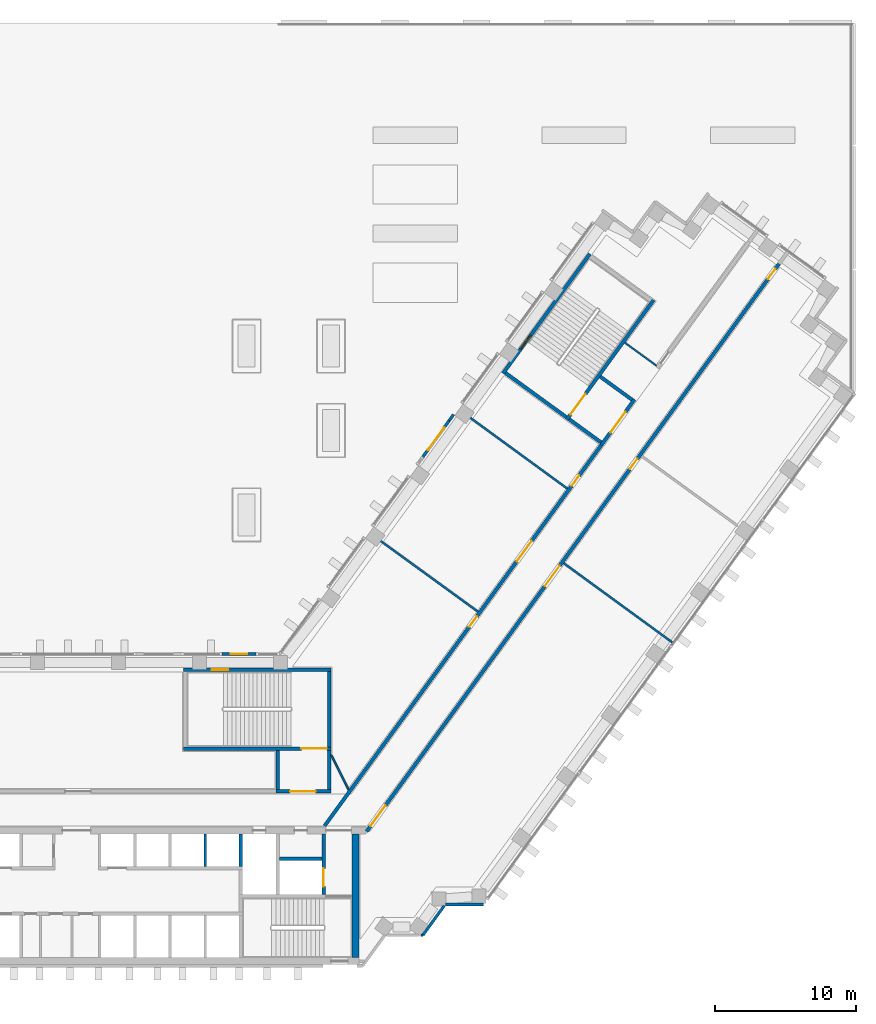
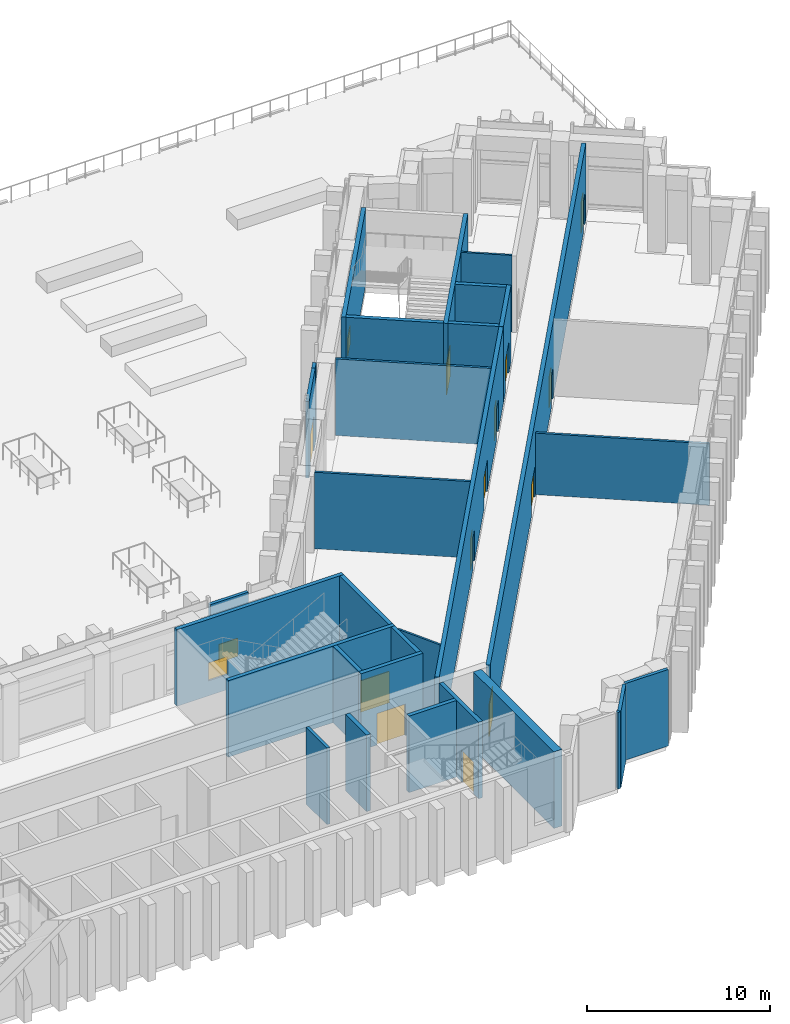
# One storey, part 18 of 25: 30 walls, 13 doors, 3 windows, 16 openings.
"""IFC4 building model written with IfcOpenShell, lengths in metres."""

from ifc_helpers import new_model, si_unit, direction, frame, frame_2d, origin, place, context, subcontext, project, spatial, rectangle, extrude, material, layer, layer_set, type_object, element, fill, save


model = new_model("IFC4")

# Units and contexts
model_context = context("Model", 3, precision=1e-05, world=origin(), true_north=direction((0.0, 1.0)))
body_context = subcontext(model_context, "Body", "Model", "MODEL_VIEW")
ifc_project = project(units=[si_unit("LENGTHUNIT", "METRE"), si_unit("AREAUNIT", "SQUARE_METRE"), si_unit("VOLUMEUNIT", "CUBIC_METRE"), si_unit("PLANEANGLEUNIT", "RADIAN"), si_unit("MASSUNIT", "GRAM", prefix="KILO")], contexts=[model_context])

# Site, building, storey
site_placement = place(None, origin())
site = spatial("IfcSite", under=ifc_project, at=site_placement, CompositionType="ELEMENT")
building_placement = place(site_placement, origin())
building = spatial("IfcBuilding", under=site, at=building_placement, Name="Quipu Civic Tower", CompositionType="ELEMENT")
storey_placement = place(building_placement, frame((0.0, 0.0, 6.0)))
storey = spatial("IfcBuildingStorey", under=building, at=storey_placement, Name="L01", CompositionType="ELEMENT", Elevation=6.0)

# Walls
ifc_material_1 = material(Name="Double gypsum plasterboard with mineral wool")
ifc_layer_1 = layer(ifc_material_1, 0.14990234375)
ifc_layer_set_1 = layer_set([ifc_layer_1], Name="Double gypsum plasterboard with mineral wool")
wall_type_1 = type_object("IfcWallType", Name="Acoustic partition 150 plasterboard", PredefinedType="PARTITIONING", material=ifc_layer_set_1)
wall_1_placement = place(storey_placement, frame((34.5537109375, 17.565185546875, 0.0), z_axis=(0.0, 0.0, 1.0), x_axis=(0.807645841498, -0.589667868135, 0.0)))
element("IfcWall", 1, at=wall_1_placement, inside=storey, type_object=wall_type_1, Name="Partition P01", PredefinedType="PARTITIONING", context=body_context, shape_type="SweptSolid", body=[
    extrude(rectangle(XDim=9.550537109375, YDim=0.14990234375, at=frame_2d((4.775390625, 0.0))), origin(), (0.0, 0.0, 1.0), 4.10009765625),
])
wall_2_placement = place(storey_placement, frame((28.457275390625, 14.10791015625, 0.0), z_axis=(0.0, 0.0, 1.0), x_axis=(-0.809000394931, 0.587808098789, 0.0)))
element("IfcWall", 2, at=wall_2_placement, inside=storey, type_object=wall_type_1, Name="Partition P07", PredefinedType="PARTITIONING", context=body_context, shape_type="SweptSolid", body=[
    extrude(rectangle(XDim=8.545166015625, YDim=0.14990234375, at=frame_2d((4.2724609375, 0.0))), origin(), (0.0, 0.0, 1.0), 5.10009765625),
])
wall_3_placement = place(storey_placement, frame((27.915283203125, 27.900634765625, 0.0), z_axis=(0.0, 0.0, 1.0), x_axis=(0.80766005508, -0.589648399836, 0.0)))
element("IfcWall", 3, at=wall_3_placement, inside=storey, type_object=wall_type_1, Name="Partition P08", PredefinedType="PARTITIONING", context=body_context, shape_type="SweptSolid", body=[
    extrude(rectangle(XDim=8.546630859375, YDim=0.14990234375, at=frame_2d((4.2734375, 0.0))), origin(), (0.0, 0.0, 1.0), 5.10009765625),
])

# Wall, opening, door
ifc_material_2 = material(Name="Concrete C70/85", Category="concrete")
ifc_layer_2 = layer(ifc_material_2, 0.25)
ifc_layer_set_2 = layer_set([ifc_layer_2], Name="Concrete C70/85")
wall_type_2 = type_object("IfcWallType", Name="Core wall 250", PredefinedType="SHEAR", material=ifc_layer_set_2)
wall_4_placement = place(storey_placement, frame((17.47509765625, -6.0, 0.0), z_axis=(0.0, 0.0, 1.0), x_axis=(0.0, 1.0, 0.0)))
wall_4 = element("IfcWall", 4, at=wall_4_placement, inside=storey, type_object=wall_type_2, Name="Core wall", PredefinedType="SHEAR", context=body_context, shape_type="SweptSolid", body=[
    extrude(rectangle(XDim=4.300048828125, YDim=0.25, at=frame_2d((2.14990234375, 0.0))), origin(), (0.0, 0.0, 1.0), 5.10009765625),
])
opening_1_placement = place(wall_4_placement, frame((0.550048828125, 0.0, 0.0)))
opening_1 = element("IfcOpeningElement", 5, at=opening_1_placement, cuts=wall_4, Name="Opening LD-FF2", PredefinedType="OPENING", context=body_context, shape_type="SweptSolid", body=[
    extrude(rectangle(XDim=1.300048828125, YDim=2.10009765625, at=frame_2d((0.64990234375, 1.050048828125))), frame((0.0, 0.135009765625, 0.0), z_axis=(0.0, -1.0, 0.0), x_axis=(1.0, 0.0, 0.0)), (0.0, 0.0, 1.0), 0.27001953125),
])
ifc_material_3 = material(Name="Stainless steel", Category="steel")
door_type_1 = type_object("IfcDoorType", Name="Lift landing door 1300 x 2100", OperationType="DOUBLE_DOOR_SLIDING", PredefinedType="DOOR", material=ifc_material_3)
door_1_placement = place(opening_1_placement, origin())
door_1 = element("IfcDoor", 6, at=door_1_placement, inside=storey, type_object=door_type_1, Name="Landing door FF2", OperationType="DOUBLE_DOOR_SLIDING", OverallHeight=2.10009765625, OverallWidth=1.300048828125, PredefinedType="DOOR", context=body_context, shape_type="SweptSolid", body=[
    extrude(rectangle(XDim=1.300048828125, YDim=2.10009765625, at=frame_2d((0.64990234375, 1.050048828125))), frame((0.0, 0.02490234375, 0.0), z_axis=(0.0, -1.0, 0.0), x_axis=(1.0, 0.0, 0.0)), (0.0, 0.0, 1.0), 0.050048828125),
])
fill(opening_1, door_1)

# Walls
wall_5_placement = place(storey_placement, frame((11.574951171875, -4.0, 0.0), z_axis=(0.0, 0.0, 1.0), x_axis=(0.0, 1.0, 0.0)))
element("IfcWall", 7, at=wall_5_placement, inside=storey, type_object=wall_type_2, Name="Core wall", PredefinedType="SHEAR", context=body_context, shape_type="SweptSolid", body=[
    extrude(rectangle(XDim=2.300048828125, YDim=0.25, at=frame_2d((1.14990234375, 0.0))), origin(), (0.0, 0.0, 1.0), 5.10009765625),
])
wall_6_placement = place(storey_placement, frame((14.35009765625, -3.47509765625, 0.0), z_axis=(0.0, 0.0, 1.0), x_axis=(1.0, 0.0, 0.0)))
element("IfcWall", 8, at=wall_6_placement, inside=storey, type_object=wall_type_2, Name="Core wall", PredefinedType="SHEAR", context=body_context, shape_type="SweptSolid", body=[
    extrude(rectangle(XDim=3.0, YDim=0.25, at=frame_2d((1.5, 0.0))), origin(), (0.0, 0.0, 1.0), 5.10009765625),
])

# Wall, opening, door
wall_7_placement = place(storey_placement, frame((14.10009765625, 1.324951171875, 0.0), z_axis=(0.0, 0.0, 1.0), x_axis=(1.0, 0.0, 0.0)))
wall_7 = element("IfcWall", 9, at=wall_7_placement, inside=storey, type_object=wall_type_2, Name="Core wall", PredefinedType="SHEAR", context=body_context, shape_type="SweptSolid", body=[
    extrude(rectangle(XDim=3.89990234375, YDim=0.25, at=frame_2d((1.949951171875, 0.0))), origin(), (0.0, 0.0, 1.0), 5.10009765625),
])
opening_2_placement = place(wall_7_placement, frame((1.0, 0.0, 0.0)))
opening_2 = element("IfcOpeningElement", 10, at=opening_2_placement, cuts=wall_7, Name="Opening CD-17", PredefinedType="OPENING", context=body_context, shape_type="SweptSolid", body=[
    extrude(rectangle(XDim=1.800048828125, YDim=2.10009765625, at=frame_2d((0.89990234375, 1.050048828125))), frame((0.0, 0.135009765625, 0.0), z_axis=(0.0, -1.0, 0.0), x_axis=(1.0, 0.0, 0.0)), (0.0, 0.0, 1.0), 0.27001953125),
])
ifc_material_4 = material(Name="Fire rated steel door", Category="steel")
door_type_2 = type_object("IfcDoorType", Name="Fire door FD90 double 1800 x 2100", OperationType="NOTDEFINED", PredefinedType="DOOR", material=ifc_material_4)
door_2_placement = place(opening_2_placement, origin())
door_2 = element("IfcDoor", 11, at=door_2_placement, inside=storey, type_object=door_type_2, Name="Lobby door", OperationType="DOUBLE_DOOR_SINGLE_SWING", OverallHeight=2.10009765625, OverallWidth=1.800048828125, PredefinedType="DOOR", context=body_context, shape_type="SweptSolid", body=[
    extrude(rectangle(XDim=1.800048828125, YDim=2.10009765625, at=frame_2d((0.89990234375, 1.050048828125))), frame((0.0, 0.02490234375, 0.0), z_axis=(0.0, -1.0, 0.0), x_axis=(1.0, 0.0, 0.0)), (0.0, 0.0, 1.0), 0.050048828125),
])
fill(opening_2, door_2)

# Walls
for number, where, z_axis, x_axis, name in (
    (12, (14.22509765625, 1.449951171875, 0.0), (0.0, 0.0, 1.0), (0.0, 1.0, 0.0), "Core wall"),
    (13, (17.875, 1.449951171875, 0.0), (0.0, 0.0, 1.0), (0.0, 1.0, 0.0), "Core wall"),
):
    element("IfcWall", number, at=place(storey_placement, frame(where, z_axis=z_axis, x_axis=x_axis)), inside=storey, type_object=wall_type_2, Name=name, PredefinedType="SHEAR", context=body_context, shape_type="SweptSolid", body=[
        extrude(rectangle(XDim=2.800048828125, YDim=0.25, at=frame_2d((1.39990234375, 0.0))), origin(), (0.0, 0.0, 1.0), 5.10009765625),
    ])

# Wall, opening, door
wall_8_placement = place(storey_placement, frame((7.5, 4.375, 0.0), z_axis=(0.0, 0.0, 1.0), x_axis=(1.0, 0.0, 0.0)))
wall_8 = element("IfcWall", 14, at=wall_8_placement, inside=storey, type_object=wall_type_2, Name="Core wall", PredefinedType="SHEAR", context=body_context, shape_type="SweptSolid", body=[
    extrude(rectangle(XDim=10.5, YDim=0.25, at=frame_2d((5.25, 0.0))), origin(), (0.0, 0.0, 1.0), 5.10009765625),
])
opening_3_placement = place(wall_8_placement, frame((8.39990234375, 0.0, 0.0)))
opening_3 = element("IfcOpeningElement", 15, at=opening_3_placement, cuts=wall_8, Name="Opening CD-18", PredefinedType="OPENING", context=body_context, shape_type="SweptSolid", body=[
    extrude(rectangle(XDim=1.800048828125, YDim=2.10009765625, at=frame_2d((0.89990234375, 1.050048828125))), frame((0.0, 0.135009765625, 0.0), z_axis=(0.0, -1.0, 0.0), x_axis=(1.0, 0.0, 0.0)), (0.0, 0.0, 1.0), 0.27001953125),
])
door_3_placement = place(opening_3_placement, origin())
door_3 = element("IfcDoor", 16, at=door_3_placement, inside=storey, type_object=door_type_2, Name="Door", OperationType="DOUBLE_DOOR_SINGLE_SWING", OverallHeight=2.10009765625, OverallWidth=1.800048828125, PredefinedType="DOOR", context=body_context, shape_type="SweptSolid", body=[
    extrude(rectangle(XDim=1.800048828125, YDim=2.10009765625, at=frame_2d((0.89990234375, 1.050048828125))), frame((0.0, 0.02490234375, 0.0), z_axis=(0.0, -1.0, 0.0), x_axis=(1.0, 0.0, 0.0)), (0.0, 0.0, 1.0), 0.050048828125),
])
fill(opening_3, door_3)

# Wall
wall_9_placement = place(storey_placement, frame((17.875, 4.5, 0.0), z_axis=(0.0, 0.0, 1.0), x_axis=(0.0, 1.0, 0.0)))
element("IfcWall", 17, at=wall_9_placement, inside=storey, type_object=wall_type_2, Name="Core wall", PredefinedType="SHEAR", context=body_context, shape_type="SweptSolid", body=[
    extrude(rectangle(XDim=5.35009765625, YDim=0.25, at=frame_2d((2.675048828125, 0.0))), origin(), (0.0, 0.0, 1.0), 5.10009765625),
])

# Wall, opening, window
wall_10_placement = place(storey_placement, frame((7.5, 9.97509765625, 0.0), z_axis=(0.0, 0.0, 1.0), x_axis=(1.0, 0.0, 0.0)))
wall_10 = element("IfcWall", 18, at=wall_10_placement, inside=storey, type_object=wall_type_2, Name="Core wall", PredefinedType="SHEAR", context=body_context, shape_type="SweptSolid", body=[
    extrude(rectangle(XDim=10.5, YDim=0.25, at=frame_2d((5.25, 0.0))), origin(), (0.0, 0.0, 1.0), 5.10009765625),
])
opening_4_placement = place(wall_10_placement, frame((2.0, 0.0, 1.0)))
opening_4 = element("IfcOpeningElement", 19, at=opening_4_placement, cuts=wall_10, Name="Opening SV-4", PredefinedType="OPENING", context=body_context, shape_type="SweptSolid", body=[
    extrude(rectangle(XDim=1.199951171875, YDim=1.199951171875, at=frame_2d((0.60009765625, 0.60009765625))), frame((0.0, 0.135009765625, 0.0), z_axis=(0.0, -1.0, 0.0), x_axis=(1.0, 0.0, 0.0)), (0.0, 0.0, 1.0), 0.27001953125),
])
ifc_material_5 = material(Name="Aluminium louvre", Category="aluminium")
window_type_1 = type_object("IfcWindowType", Name="Stair ventilation louvre 1200 x 1200", PartitioningType="SINGLE_PANEL", PredefinedType="WINDOW", material=ifc_material_5)
window_1_placement = place(opening_4_placement, origin())
window_1 = element("IfcWindow", 20, at=window_1_placement, inside=storey, type_object=window_type_1, Name="Stair ventilation opening", OverallHeight=1.199951171875, OverallWidth=1.199951171875, PartitioningType="SINGLE_PANEL", PredefinedType="WINDOW", context=body_context, shape_type="SweptSolid", body=[
    extrude(rectangle(XDim=1.199951171875, YDim=1.199951171875, at=frame_2d((0.60009765625, 0.60009765625))), frame((0.0, 0.030029296875, 0.0), z_axis=(0.0, -1.0, 0.0), x_axis=(1.0, 0.0, 0.0)), (0.0, 0.0, 1.0), 0.06005859375),
])
fill(opening_4, window_1)

# Wall, opening, door
wall_11_placement = place(storey_placement, frame((37.237548828125, 25.979736328125, 0.0), z_axis=(0.0, 0.0, 1.0), x_axis=(0.587772420479, 0.809026317077, 0.0)))
wall_11 = element("IfcWall", 21, at=wall_11_placement, inside=storey, type_object=wall_type_2, Name="Core wall", PredefinedType="SHEAR", context=body_context, shape_type="SweptSolid", body=[
    extrude(rectangle(XDim=4.0, YDim=0.25, at=frame_2d((2.0, 0.0))), origin(), (0.0, 0.0, 1.0), 5.10009765625),
])
opening_5_placement = place(wall_11_placement, frame((1.10009765625, 0.0, 0.0)))
opening_5 = element("IfcOpeningElement", 22, at=opening_5_placement, cuts=wall_11, Name="Opening CD-21", PredefinedType="OPENING", context=body_context, shape_type="SweptSolid", body=[
    extrude(rectangle(XDim=1.800048828125, YDim=2.10009765625, at=frame_2d((0.89990234375, 1.050048828125))), frame((0.0, 0.135009765625, 0.0), z_axis=(0.0, -1.0, 0.0), x_axis=(1.0, 0.0, 0.0)), (0.0, 0.0, 1.0), 0.27001953125),
])
door_4_placement = place(opening_5_placement, origin())
door_4 = element("IfcDoor", 23, at=door_4_placement, inside=storey, type_object=door_type_2, Name="Lobby door", OperationType="DOUBLE_DOOR_SINGLE_SWING", OverallHeight=2.10009765625, OverallWidth=1.800048828125, PredefinedType="DOOR", context=body_context, shape_type="SweptSolid", body=[
    extrude(rectangle(XDim=1.800048828125, YDim=2.10009765625, at=frame_2d((0.89990234375, 1.050048828125))), frame((0.0, 0.02490234375, 0.0), z_axis=(0.0, -1.0, 0.0), x_axis=(1.0, 0.0, 0.0)), (0.0, 0.0, 1.0), 0.050048828125),
])
fill(opening_5, door_4)

# Walls
for number, where, z_axis, x_axis, name in (
    (24, (37.2099609375, 26.154296875, 0.0), (0.0, 0.0, 1.0), (-0.809041377956, 0.587751689708, 0.0), "Core wall"),
    (25, (39.4140625, 29.18798828125, 0.0), (0.0, 0.0, 1.0), (-0.808969789945, 0.58785021813, 0.0), "Core wall"),
):
    element("IfcWall", number, at=place(storey_placement, frame(where, z_axis=z_axis, x_axis=x_axis)), inside=storey, type_object=wall_type_2, Name=name, PredefinedType="SHEAR", context=body_context, shape_type="SweptSolid", body=[
        extrude(rectangle(XDim=2.800048828125, YDim=0.25, at=frame_2d((1.39990234375, 0.0))), origin(), (0.0, 0.0, 1.0), 5.10009765625),
    ])

# Wall, opening, door
wall_12_placement = place(storey_placement, frame((34.77001953125, 27.7724609375, 0.0), z_axis=(0.0, 0.0, 1.0), x_axis=(0.587795589702, 0.809009483706, 0.0)))
wall_12 = element("IfcWall", 26, at=wall_12_placement, inside=storey, type_object=wall_type_2, Name="Core wall", PredefinedType="SHEAR", context=body_context, shape_type="SweptSolid", body=[
    extrude(rectangle(XDim=10.5, YDim=0.25, at=frame_2d((5.25, 0.0))), origin(), (0.0, 0.0, 1.0), 5.10009765625),
])
opening_6_placement = place(wall_12_placement, frame((0.449951171875, 0.0, 0.0)))
opening_6 = element("IfcOpeningElement", 27, at=opening_6_placement, cuts=wall_12, Name="Opening CD-22", PredefinedType="OPENING", context=body_context, shape_type="SweptSolid", body=[
    extrude(rectangle(XDim=1.800048828125, YDim=2.10009765625, at=frame_2d((0.89990234375, 1.050048828125))), frame((0.0, 0.135009765625, 0.0), z_axis=(0.0, -1.0, 0.0), x_axis=(1.0, 0.0, 0.0)), (0.0, 0.0, 1.0), 0.27001953125),
])
door_5_placement = place(opening_6_placement, origin())
door_5 = element("IfcDoor", 28, at=door_5_placement, inside=storey, type_object=door_type_2, Name="Door", OperationType="DOUBLE_DOOR_SINGLE_SWING", OverallHeight=2.10009765625, OverallWidth=1.800048828125, PredefinedType="DOOR", context=body_context, shape_type="SweptSolid", body=[
    extrude(rectangle(XDim=1.800048828125, YDim=2.10009765625, at=frame_2d((0.89990234375, 1.050048828125))), frame((0.0, 0.02490234375, 0.0), z_axis=(0.0, -1.0, 0.0), x_axis=(1.0, 0.0, 0.0)), (0.0, 0.0, 1.0), 0.050048828125),
])
fill(opening_6, door_5)

# Wall
wall_13_placement = place(storey_placement, frame((34.742431640625, 27.947021484375, 0.0), z_axis=(0.0, 0.0, 1.0), x_axis=(-0.8089984606, 0.587810760999, 0.0)))
element("IfcWall", 29, at=wall_13_placement, inside=storey, type_object=wall_type_2, Name="Core wall", PredefinedType="SHEAR", context=body_context, shape_type="SweptSolid", body=[
    extrude(rectangle(XDim=5.35009765625, YDim=0.25, at=frame_2d((2.675048828125, 0.0))), origin(), (0.0, 0.0, 1.0), 5.10009765625),
])

# Wall, opening, window
wall_14_placement = place(storey_placement, frame((30.239501953125, 31.06396484375, 0.0), z_axis=(0.0, 0.0, 1.0), x_axis=(0.587795589702, 0.809009483706, 0.0)))
wall_14 = element("IfcWall", 30, at=wall_14_placement, inside=storey, type_object=wall_type_2, Name="Core wall", PredefinedType="SHEAR", context=body_context, shape_type="SweptSolid", body=[
    extrude(rectangle(XDim=10.5, YDim=0.25, at=frame_2d((5.25, 0.0))), origin(), (0.0, 0.0, 1.0), 5.10009765625),
])
opening_7_placement = place(wall_14_placement, frame((2.14990234375, 0.0, 1.0)))
opening_7 = element("IfcOpeningElement", 31, at=opening_7_placement, cuts=wall_14, Name="Opening SV-7", PredefinedType="OPENING", context=body_context, shape_type="SweptSolid", body=[
    extrude(rectangle(XDim=1.199951171875, YDim=1.199951171875, at=frame_2d((0.60009765625, 0.60009765625))), frame((0.0, 0.135009765625, 0.0), z_axis=(0.0, -1.0, 0.0), x_axis=(1.0, 0.0, 0.0)), (0.0, 0.0, 1.0), 0.27001953125),
])
window_2_placement = place(opening_7_placement, origin())
window_2 = element("IfcWindow", 32, at=window_2_placement, inside=storey, type_object=window_type_1, Name="Stair ventilation opening", OverallHeight=1.199951171875, OverallWidth=1.199951171875, PartitioningType="SINGLE_PANEL", PredefinedType="WINDOW", context=body_context, shape_type="SweptSolid", body=[
    extrude(rectangle(XDim=1.199951171875, YDim=1.199951171875, at=frame_2d((0.60009765625, 0.60009765625))), frame((0.0, 0.030029296875, 0.0), z_axis=(0.0, -1.0, 0.0), x_axis=(1.0, 0.0, 0.0)), (0.0, 0.0, 1.0), 0.06005859375),
])
fill(opening_7, window_2)

# Wall
ifc_material_6 = material(Name="Concrete C70/85", Category="concrete")
ifc_layer_3 = layer(ifc_material_6, 0.5)
ifc_layer_set_3 = layer_set([ifc_layer_3], Name="Concrete C70/85")
wall_type_3 = type_object("IfcWallType", Name="Core wall 500", PredefinedType="SHEAR", material=ifc_layer_set_3)
wall_15_placement = place(storey_placement, frame((19.75, -10.5, 0.0), z_axis=(0.0, 0.0, 1.0), x_axis=(0.0, 1.0, 0.0)))
element("IfcWall", 33, at=wall_15_placement, inside=storey, type_object=wall_type_3, Name="Core wall", PredefinedType="SHEAR", context=body_context, shape_type="SweptSolid", body=[
    extrude(rectangle(XDim=8.800048828125, YDim=0.5, at=frame_2d((4.39990234375, 0.0))), origin(), (0.0, 0.0, 1.0), 5.10009765625),
])

# Wall, openings, doors
ifc_material_7 = material(Name="Concrete C50/60", Category="concrete")
ifc_layer_4 = layer(ifc_material_7, 0.25)
ifc_layer_set_4 = layer_set([ifc_layer_4], Name="Concrete C50/60")
wall_type_4 = type_object("IfcWallType", Name="Corridor wall 250 concrete", PredefinedType="SOLIDWALL", material=ifc_layer_set_4)
wall_16_placement = place(storey_placement, frame((49.86865234375, 38.8564453125, 0.0), z_axis=(0.0, 0.0, 1.0), x_axis=(-0.587784522481, -0.809017524614, 0.0)))
wall_16 = element("IfcWall", 34, at=wall_16_placement, inside=storey, type_object=wall_type_4, Name="Corridor wall C01", PredefinedType="SOLIDWALL", context=body_context, shape_type="SweptSolid", body=[
    extrude(rectangle(XDim=49.912353515625, YDim=0.25, at=frame_2d((24.9560546875, 0.0))), origin(), (0.0, 0.0, 1.0), 5.10009765625),
])
opening_8_placement = place(wall_16_placement, frame((17.146484375, 0.0, 0.0)))
opening_8 = element("IfcOpeningElement", 35, at=opening_8_placement, cuts=wall_16, Name="Opening D007", PredefinedType="OPENING", context=body_context, shape_type="SweptSolid", body=[
    extrude(rectangle(XDim=0.89990234375, YDim=2.10009765625, at=frame_2d((0.449951171875, 1.050048828125))), frame((0.0, 0.135009765625, 0.0), z_axis=(0.0, -1.0, 0.0), x_axis=(1.0, 0.0, 0.0)), (0.0, 0.0, 1.0), 0.27001953125),
])
opening_9_placement = place(wall_16_placement, frame((47.629150390625, 0.0, 0.0)))
opening_9 = element("IfcOpeningElement", 36, at=opening_9_placement, cuts=wall_16, Name="Opening D005", PredefinedType="OPENING", context=body_context, shape_type="SweptSolid", body=[
    extrude(rectangle(XDim=1.800048828125, YDim=2.10009765625, at=frame_2d((0.89990234375, 1.050048828125))), frame((0.0, 0.135009765625, 0.0), z_axis=(0.0, -1.0, 0.0), x_axis=(1.0, 0.0, 0.0)), (0.0, 0.0, 1.0), 0.27001953125),
])
opening_10_placement = place(wall_16_placement, frame((26.546630859375, 0.0, 0.0)))
opening_10 = element("IfcOpeningElement", 37, at=opening_10_placement, cuts=wall_16, Name="Opening D006", PredefinedType="OPENING", context=body_context, shape_type="SweptSolid", body=[
    extrude(rectangle(XDim=1.800048828125, YDim=2.10009765625, at=frame_2d((0.89990234375, 1.050048828125))), frame((0.0, 0.135009765625, 0.0), z_axis=(0.0, -1.0, 0.0), x_axis=(1.0, 0.0, 0.0)), (0.0, 0.0, 1.0), 0.27001953125),
])
opening_11_placement = place(wall_16_placement, frame((0.44189453125, 0.0, 0.0)))
opening_11 = element("IfcOpeningElement", 38, at=opening_11_placement, cuts=wall_16, Name="Opening D008", PredefinedType="OPENING", context=body_context, shape_type="SweptSolid", body=[
    extrude(rectangle(XDim=0.89990234375, YDim=2.10009765625, at=frame_2d((0.449951171875, 1.050048828125))), frame((0.0, 0.135009765625, 0.0), z_axis=(0.0, -1.0, 0.0), x_axis=(1.0, 0.0, 0.0)), (0.0, 0.0, 1.0), 0.27001953125),
])
ifc_material_8 = material(Name="Fire rated timber door set with metal frame", Category="wood")
door_type_3 = type_object("IfcDoorType", Name="Double door 1800 x 2100 FD60", OperationType="DOUBLE_DOOR_SINGLE_SWING", PredefinedType="DOOR", material=ifc_material_8)
door_6_placement = place(opening_9_placement, origin())
door_6 = element("IfcDoor", 39, at=door_6_placement, inside=storey, type_object=door_type_3, Name="Door D005", OperationType="DOUBLE_DOOR_SINGLE_SWING", OverallHeight=2.10009765625, OverallWidth=1.800048828125, PredefinedType="DOOR", context=body_context, shape_type="SweptSolid", body=[
    extrude(rectangle(XDim=1.800048828125, YDim=2.10009765625, at=frame_2d((0.89990234375, 1.050048828125))), frame((0.0, 0.02490234375, 0.0), z_axis=(0.0, -1.0, 0.0), x_axis=(1.0, 0.0, 0.0)), (0.0, 0.0, 1.0), 0.050048828125),
])
fill(opening_9, door_6)
door_7_placement = place(opening_10_placement, origin())
door_7 = element("IfcDoor", 40, at=door_7_placement, inside=storey, type_object=door_type_3, Name="Door D006", OperationType="DOUBLE_DOOR_SINGLE_SWING", OverallHeight=2.10009765625, OverallWidth=1.800048828125, PredefinedType="DOOR", context=body_context, shape_type="SweptSolid", body=[
    extrude(rectangle(XDim=1.800048828125, YDim=2.10009765625, at=frame_2d((0.89990234375, 1.050048828125))), frame((0.0, 0.02490234375, 0.0), z_axis=(0.0, -1.0, 0.0), x_axis=(1.0, 0.0, 0.0)), (0.0, 0.0, 1.0), 0.050048828125),
])
fill(opening_10, door_7)
ifc_material_9 = material(Name="Fire rated timber door set with metal frame", Category="wood")
door_type_4 = type_object("IfcDoorType", Name="Single door 900 x 2100 FD60", OperationType="NOTDEFINED", PredefinedType="DOOR", material=ifc_material_9)
door_8_placement = place(opening_8_placement, origin())
door_8 = element("IfcDoor", 41, at=door_8_placement, inside=storey, type_object=door_type_4, Name="Door D007", OperationType="SINGLE_SWING_LEFT", OverallHeight=2.10009765625, OverallWidth=0.89990234375, PredefinedType="DOOR", context=body_context, shape_type="SweptSolid", body=[
    extrude(rectangle(XDim=0.89990234375, YDim=2.10009765625, at=frame_2d((0.449951171875, 1.050048828125))), frame((0.0, 0.02490234375, 0.0), z_axis=(0.0, -1.0, 0.0), x_axis=(1.0, 0.0, 0.0)), (0.0, 0.0, 1.0), 0.050048828125),
])
fill(opening_8, door_8)
door_9_placement = place(opening_11_placement, origin())
door_9 = element("IfcDoor", 42, at=door_9_placement, inside=storey, type_object=door_type_4, Name="Door D008", OperationType="SINGLE_SWING_LEFT", OverallHeight=2.10009765625, OverallWidth=0.89990234375, PredefinedType="DOOR", context=body_context, shape_type="SweptSolid", body=[
    extrude(rectangle(XDim=0.89990234375, YDim=2.10009765625, at=frame_2d((0.449951171875, 1.050048828125))), frame((0.0, 0.02490234375, 0.0), z_axis=(0.0, -1.0, 0.0), x_axis=(1.0, 0.0, 0.0)), (0.0, 0.0, 1.0), 0.050048828125),
])
fill(opening_11, door_9)

wall_17_placement = place(storey_placement, frame((17.544921875, -1.124755859375, 0.0), z_axis=(0.0, 0.0, 1.0), x_axis=(0.587786323093, 0.809016216391, 0.0)))
wall_17 = element("IfcWall", 43, at=wall_17_placement, inside=storey, type_object=wall_type_4, Name="Corridor wall C06", PredefinedType="SOLIDWALL", context=body_context, shape_type="SweptSolid", body=[
    extrude(rectangle(XDim=33.4931640625, YDim=0.25, at=frame_2d((16.74658203125, 0.0))), origin(), (0.0, 0.0, 1.0), 5.10009765625),
])
opening_12_placement = place(wall_17_placement, frame((17.5078125, 0.0, 0.0)))
opening_12 = element("IfcOpeningElement", 44, at=opening_12_placement, cuts=wall_17, Name="Opening D001", PredefinedType="OPENING", context=body_context, shape_type="SweptSolid", body=[
    extrude(rectangle(XDim=0.89990234375, YDim=2.10009765625, at=frame_2d((0.449951171875, 1.050048828125))), frame((0.0, 0.135009765625, 0.0), z_axis=(0.0, -1.0, 0.0), x_axis=(1.0, 0.0, 0.0)), (0.0, 0.0, 1.0), 0.27001953125),
])
opening_13_placement = place(wall_17_placement, frame((29.908203125, 0.0, 0.0)))
opening_13 = element("IfcOpeningElement", 45, at=opening_13_placement, cuts=wall_17, Name="Opening D003", PredefinedType="OPENING", context=body_context, shape_type="SweptSolid", body=[
    extrude(rectangle(XDim=0.89990234375, YDim=2.10009765625, at=frame_2d((0.449951171875, 1.050048828125))), frame((0.0, 0.135009765625, 0.0), z_axis=(0.0, -1.0, 0.0), x_axis=(1.0, 0.0, 0.0)), (0.0, 0.0, 1.0), 0.27001953125),
])
opening_14_placement = place(wall_17_placement, frame((23.2578125, 0.0, 0.0)))
opening_14 = element("IfcOpeningElement", 46, at=opening_14_placement, cuts=wall_17, Name="Opening D002", PredefinedType="OPENING", context=body_context, shape_type="SweptSolid", body=[
    extrude(rectangle(XDim=1.800048828125, YDim=2.10009765625, at=frame_2d((0.89990234375, 1.050048828125))), frame((0.0, 0.135009765625, 0.0), z_axis=(0.0, -1.0, 0.0), x_axis=(1.0, 0.0, 0.0)), (0.0, 0.0, 1.0), 0.27001953125),
])
door_10_placement = place(opening_14_placement, origin())
door_10 = element("IfcDoor", 47, at=door_10_placement, inside=storey, type_object=door_type_3, Name="Door D002", OperationType="DOUBLE_DOOR_SINGLE_SWING", OverallHeight=2.10009765625, OverallWidth=1.800048828125, PredefinedType="DOOR", context=body_context, shape_type="SweptSolid", body=[
    extrude(rectangle(XDim=1.800048828125, YDim=2.10009765625, at=frame_2d((0.89990234375, 1.050048828125))), frame((0.0, 0.02490234375, 0.0), z_axis=(0.0, -1.0, 0.0), x_axis=(1.0, 0.0, 0.0)), (0.0, 0.0, 1.0), 0.050048828125),
])
fill(opening_14, door_10)
door_11_placement = place(opening_12_placement, origin())
door_11 = element("IfcDoor", 48, at=door_11_placement, inside=storey, type_object=door_type_4, Name="Door D001", OperationType="SINGLE_SWING_RIGHT", OverallHeight=2.10009765625, OverallWidth=0.89990234375, PredefinedType="DOOR", context=body_context, shape_type="SweptSolid", body=[
    extrude(rectangle(XDim=0.89990234375, YDim=2.10009765625, at=frame_2d((0.449951171875, 1.050048828125))), frame((0.0, 0.02490234375, 0.0), z_axis=(0.0, -1.0, 0.0), x_axis=(1.0, 0.0, 0.0)), (0.0, 0.0, 1.0), 0.050048828125),
])
fill(opening_12, door_11)
door_12_placement = place(opening_13_placement, origin())
door_12 = element("IfcDoor", 49, at=door_12_placement, inside=storey, type_object=door_type_4, Name="Door D003", OperationType="SINGLE_SWING_LEFT", OverallHeight=2.10009765625, OverallWidth=0.89990234375, PredefinedType="DOOR", context=body_context, shape_type="SweptSolid", body=[
    extrude(rectangle(XDim=0.89990234375, YDim=2.10009765625, at=frame_2d((0.449951171875, 1.050048828125))), frame((0.0, 0.02490234375, 0.0), z_axis=(0.0, -1.0, 0.0), x_axis=(1.0, 0.0, 0.0)), (0.0, 0.0, 1.0), 0.050048828125),
])
fill(opening_13, door_12)

# Walls
ifc_material_10 = material(Name="Gypsum plasterboard on light gauge framing")
ifc_layer_5 = layer(ifc_material_10, 0.1201171875)
ifc_layer_set_5 = layer_set([ifc_layer_5], Name="Gypsum plasterboard on light gauge framing")
wall_type_5 = type_object("IfcWallType", Name="Partition 120 plasterboard", PredefinedType="PARTITIONING", material=ifc_layer_set_5)
wall_18_placement = place(storey_placement, frame((18.0, 3.925048828125, 0.0), z_axis=(0.0, 0.0, 1.0), x_axis=(0.453950796792, -0.891026752736, 0.0)))
element("IfcWall", 50, at=wall_18_placement, inside=storey, type_object=wall_type_5, Name="Partition P09", PredefinedType="PARTITIONING", context=body_context, shape_type="SweptSolid", body=[
    extrude(rectangle(XDim=2.77783203125, YDim=0.1201171875, at=frame_2d((1.388916015625, 0.0))), origin(), (0.0, 0.0, 1.0), 5.10009765625),
])
wall_19_placement = place(storey_placement, frame((38.89990234375, 33.2451171875, 0.0), z_axis=(0.0, 0.0, 1.0), x_axis=(0.809090262332, -0.587684394381, 0.0)))
element("IfcWall", 51, at=wall_19_placement, inside=storey, type_object=wall_type_5, Name="Partition P10", PredefinedType="PARTITIONING", context=body_context, shape_type="SweptSolid", body=[
    extrude(rectangle(XDim=2.80078125, YDim=0.1201171875, at=frame_2d((1.400390625, 0.0))), origin(), (0.0, 0.0, 1.0), 5.10009765625),
])
ifc_material_11 = material(Name="Precast concrete C40/50", Category="concrete")
wall_type_6 = type_object("IfcWallType", Name="Precast cladding wall", PredefinedType="SOLIDWALL", material=ifc_material_11)
wall_20_placement = place(storey_placement, frame((24.38671875, -8.90380859375, 0.0), z_axis=(0.0, 0.0, 1.0), x_axis=(1.0, 0.0, 0.0)))
element("IfcWall", 52, at=wall_20_placement, inside=storey, type_object=wall_type_6, Name="Precast cladding wall L01 31", PredefinedType="SOLIDWALL", context=body_context, shape_type="SweptSolid", body=[
    extrude(rectangle(XDim=0.156005859375, YDim=0.199951171875, at=frame_2d((0.078125, 0.0))), origin(), (0.0, 0.0, 1.0), 5.10009765625),
])
wall_21_placement = place(storey_placement, frame((24.540283203125, -8.89892578125, 0.0), z_axis=(0.0, 0.0, 1.0), x_axis=(0.587700286833, 0.809078718578, 0.0)))
element("IfcWall", 53, at=wall_21_placement, inside=storey, type_object=wall_type_6, Name="Precast cladding wall L01 32", PredefinedType="SOLIDWALL", context=body_context, shape_type="SweptSolid", body=[
    extrude(rectangle(XDim=2.587158203125, YDim=0.199951171875, at=frame_2d((1.29345703125, 0.0))), origin(), (0.0, 0.0, 1.0), 5.10009765625),
])
wall_22_placement = place(storey_placement, frame((26.1298828125, -6.71923828125, 0.0), z_axis=(0.0, 0.0, 1.0), x_axis=(1.0, 0.0, 0.0)))
element("IfcWall", 54, at=wall_22_placement, inside=storey, type_object=wall_type_6, Name="Precast cladding wall L01 33", PredefinedType="SOLIDWALL", context=body_context, shape_type="SweptSolid", body=[
    extrude(rectangle(XDim=2.699951171875, YDim=0.199951171875, at=frame_2d((1.35009765625, 0.0))), origin(), (0.0, 0.0, 1.0), 5.10009765625),
])

# Wall, opening, window
wall_23_placement = place(storey_placement, frame((12.655029296875, 11.10009765625, 0.0), z_axis=(0.0, 0.0, 1.0), x_axis=(-1.0, 0.0, 0.0)))
wall_23 = element("IfcWall", 55, at=wall_23_placement, inside=storey, type_object=wall_type_6, Name="Vent surround SF-L01-2", PredefinedType="SOLIDWALL", context=body_context, shape_type="SweptSolid", body=[
    extrude(rectangle(XDim=2.3916015625, YDim=0.199951171875, at=frame_2d((1.19580078125, 0.0))), origin(), (0.0, 0.0, 1.0), 5.10009765625),
])
opening_15_placement = place(wall_23_placement, frame((0.595703125, 0.0, 1.0)))
opening_15 = element("IfcOpeningElement", 56, at=opening_15_placement, cuts=wall_23, Name="Opening SF-L01-2", PredefinedType="OPENING", context=body_context, shape_type="SweptSolid", body=[
    extrude(rectangle(XDim=1.199951171875, YDim=1.199951171875, at=frame_2d((0.60009765625, 0.60009765625))), frame((0.0, 0.10986328125, 0.0), z_axis=(0.0, -1.0, 0.0), x_axis=(1.0, 0.0, 0.0)), (0.0, 0.0, 1.0), 0.219970703125),
])
ifc_material_12 = material(Name="Anodised aluminium louvre", Category="aluminium")
window_type_2 = type_object("IfcWindowType", Name="Stair vent louvre window P3", PartitioningType="SINGLE_PANEL", PredefinedType="WINDOW", material=ifc_material_12)
window_3_placement = place(opening_15_placement, origin())
window_3 = element("IfcWindow", 57, at=window_3_placement, inside=storey, type_object=window_type_2, Name="Stair vent louvre SF-L01-2", OverallHeight=1.199951171875, OverallWidth=1.199951171875, PartitioningType="SINGLE_PANEL", PredefinedType="WINDOW", context=body_context, shape_type="SweptSolid", body=[
    extrude(rectangle(XDim=1.199951171875, YDim=1.199951171875, at=frame_2d((0.60009765625, 0.60009765625))), frame((0.0, 0.030029296875, 0.0), z_axis=(0.0, -1.0, 0.0), x_axis=(1.0, 0.0, 0.0)), (0.0, 0.0, 1.0), 0.06005859375),
])
fill(opening_15, window_3)

# Wall, opening, door
ifc_material_13 = material(Name="Precast concrete C40/50", Category="concrete")
wall_type_7 = type_object("IfcWallType", Name="Precast door surround", PredefinedType="SOLIDWALL", material=ifc_material_13)
wall_24_placement = place(storey_placement, frame((24.525390625, 25.11328125, 0.0), z_axis=(0.0, 0.0, 1.0), x_axis=(0.587800113352, 0.809006196974, 0.0)))
wall_24 = element("IfcWall", 58, at=wall_24_placement, inside=storey, type_object=wall_type_7, Name="Door surround ED-L01-4", PredefinedType="SOLIDWALL", context=body_context, shape_type="SweptSolid", body=[
    extrude(rectangle(XDim=3.2041015625, YDim=0.199951171875, at=frame_2d((1.60205078125, 0.0))), origin(), (0.0, 0.0, 1.0), 5.10009765625),
])
opening_16_placement = place(wall_24_placement, frame((0.60205078125, 0.0, 0.0)))
opening_16 = element("IfcOpeningElement", 59, at=opening_16_placement, cuts=wall_24, Name="Opening ED-L01-4", PredefinedType="OPENING", context=body_context, shape_type="SweptSolid", body=[
    extrude(rectangle(XDim=2.0, YDim=2.39990234375, at=frame_2d((1.0, 1.199951171875))), frame((0.0, 0.10986328125, 0.0), z_axis=(0.0, -1.0, 0.0), x_axis=(1.0, 0.0, 0.0)), (0.0, 0.0, 1.0), 0.219970703125),
])
ifc_material_14 = material(Name="Aluminium framed glazed door", Category="aluminium")
door_type_5 = type_object("IfcDoorType", Name="Deck door E2", OperationType="DOUBLE_DOOR_SINGLE_SWING", PredefinedType="DOOR", material=ifc_material_14)
door_13_placement = place(opening_16_placement, origin())
door_13 = element("IfcDoor", 60, at=door_13_placement, inside=storey, type_object=door_type_5, Name="E2 door ED-L01-4", OperationType="DOUBLE_DOOR_SINGLE_SWING", OverallHeight=2.39990234375, OverallWidth=2.0, PredefinedType="DOOR", context=body_context, shape_type="SweptSolid", body=[
    extrude(rectangle(XDim=2.0, YDim=2.39990234375, at=frame_2d((1.0, 1.199951171875))), frame((0.0, 0.02490234375, 0.0), z_axis=(0.0, -1.0, 0.0), x_axis=(1.0, 0.0, 0.0)), (0.0, 0.0, 1.0), 0.050048828125),
])
fill(opening_16, door_13)

# Walls
wall_25_placement = place(storey_placement, frame((26.40869140625, 27.705322265625, 0.0), z_axis=(0.0, 0.0, 1.0), x_axis=(0.587649242333, 0.809115793929, 0.0)))
element("IfcWall", 61, at=wall_25_placement, inside=storey, type_object=wall_type_7, Name="Door surround ED-L01-4", PredefinedType="SOLIDWALL", context=body_context, shape_type="SweptSolid", body=[
    extrude(rectangle(XDim=0.528076171875, YDim=0.199951171875, at=frame_2d((0.26416015625, 0.0))), origin(), (0.0, 0.0, 1.0), 5.10009765625),
])
ifc_material_15 = material(Name="Concrete C40/50", Category="concrete")
ifc_layer_6 = layer(ifc_material_15, 0.199951171875)
ifc_layer_set_6 = layer_set([ifc_layer_6], Name="Concrete C40/50")
wall_type_8 = type_object("IfcWallType", Name="Shaft wall 200", PredefinedType="SOLIDWALL", material=ifc_layer_set_6)
wall_26_placement = place(storey_placement, frame((9.050048828125, -4.0, 0.0), z_axis=(0.0, 0.0, 1.0), x_axis=(0.0, 1.0, 0.0)))
element("IfcWall", 62, at=wall_26_placement, inside=storey, type_object=wall_type_8, Name="Shaft wall", PredefinedType="SOLIDWALL", context=body_context, shape_type="SweptSolid", body=[
    extrude(rectangle(XDim=2.300048828125, YDim=0.199951171875, at=frame_2d((1.14990234375, 0.0))), origin(), (0.0, 0.0, 1.0), 5.10009765625),
])

save(model, "model.ifc")
